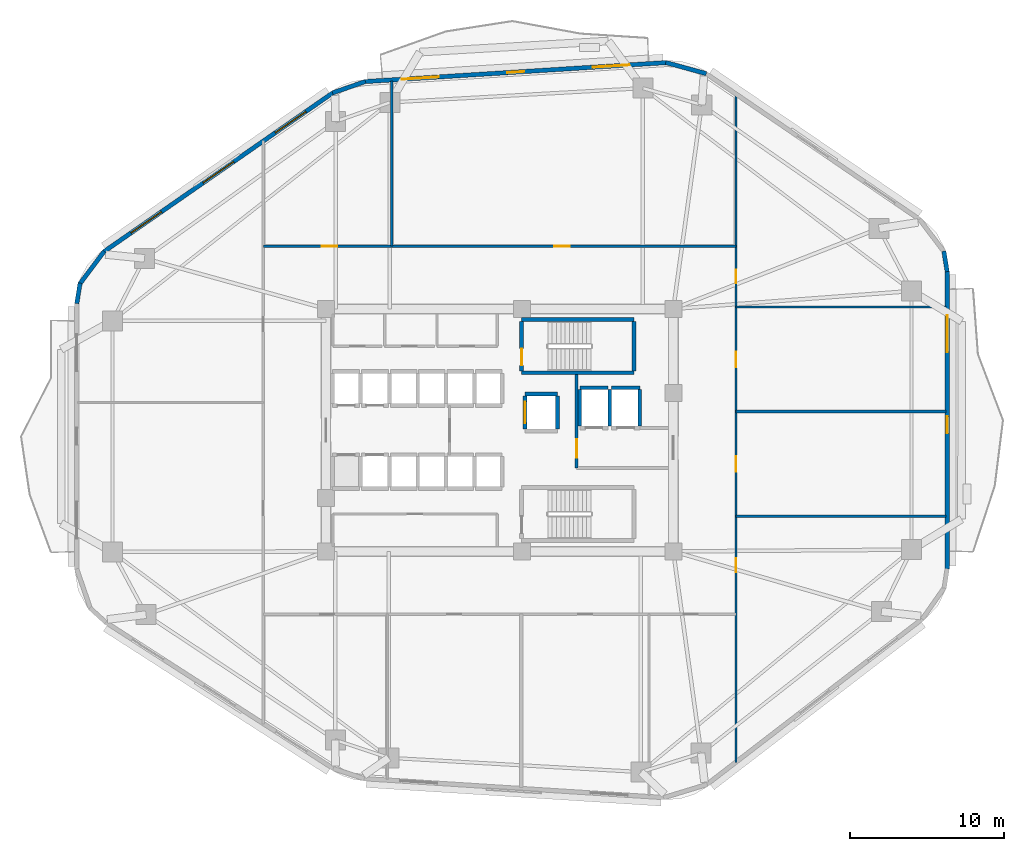
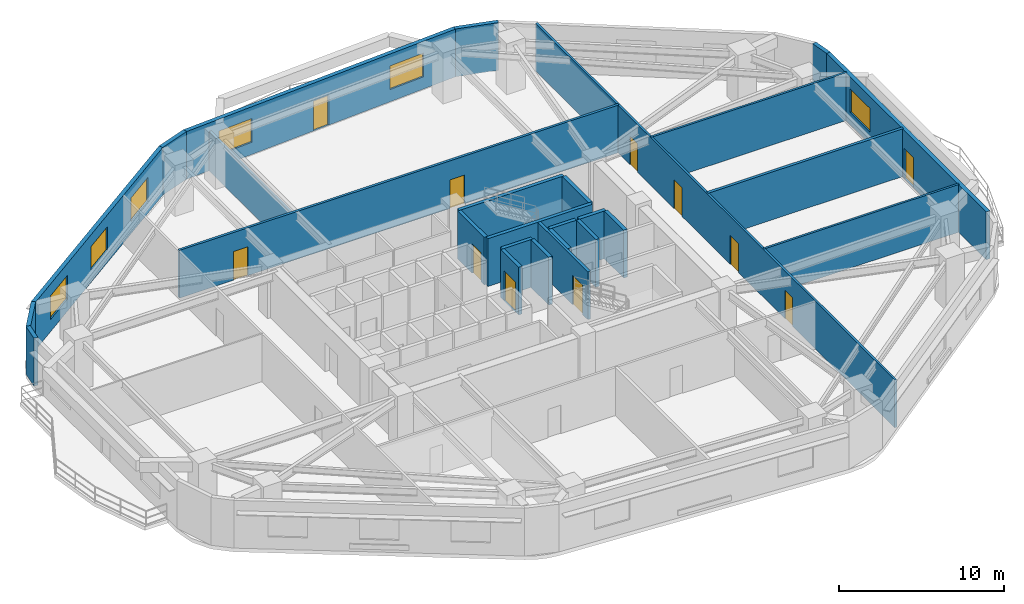
# One storey, part 5 of 10: 27 walls, 11 doors, 6 windows, 17 openings.
"""IFC4 building model written with IfcOpenShell, lengths in metres."""

from ifc_helpers import new_model, si_unit, direction, frame, frame_2d, origin, place, context, subcontext, project, spatial, rectangle, extrude, material, layer, layer_set, type_object, element, fill, save


model = new_model("IFC4")

# Units and contexts
model_context = context("Model", 3, precision=1e-05, world=origin(), true_north=direction((0.0, 1.0)))
body_context = subcontext(model_context, "Body", "Model", "MODEL_VIEW")
ifc_project = project(units=[si_unit("LENGTHUNIT", "METRE"), si_unit("AREAUNIT", "SQUARE_METRE"), si_unit("VOLUMEUNIT", "CUBIC_METRE"), si_unit("PLANEANGLEUNIT", "RADIAN"), si_unit("MASSUNIT", "GRAM", prefix="KILO")], contexts=[model_context])

# Site, building, storey
site_placement = place(None, origin())
site = spatial("IfcSite", under=ifc_project, at=site_placement, CompositionType="ELEMENT")
building_placement = place(site_placement, origin())
building = spatial("IfcBuilding", under=site, at=building_placement, Name="Zulverin Broadcast Headquarters", CompositionType="ELEMENT")
storey_placement = place(building_placement, frame((0.0, 0.0, 66.800048828125)))
storey = spatial("IfcBuildingStorey", under=building, at=storey_placement, Name="L16", CompositionType="ELEMENT", Elevation=66.800048828125)

# Wall
ifc_material_1 = material(Name="Acoustic drywall steel stud", Category="steel")
ifc_layer_1 = layer(ifc_material_1, 0.199951171875, Name="Acoustic drywall steel stud", Category="steel")
ifc_layer_set_1 = layer_set([ifc_layer_1], Name="Acoustic drywall steel stud")
wall_type_1 = type_object("IfcWallType", Name="WL-ACOU-200", PredefinedType="PARTITIONING", material=ifc_layer_set_1)
wall_1_placement = place(storey_placement, frame((52.35009765625, 26.39990234375, 0.0), z_axis=(0.0, 0.0, 1.0), x_axis=(1.0, 0.0, 0.0)))
element("IfcWall", 1, at=wall_1_placement, inside=storey, type_object=wall_type_1, Name="L16 Room Partition Wall RP-09", PredefinedType="PARTITIONING", context=body_context, shape_type="SweptSolid", body=[
    extrude(rectangle(XDim=13.64501953125, YDim=0.199951171875, at=frame_2d((6.822509765625, 0.0))), origin(), (0.0, 0.0, 1.0), 3.52490234375),
])

# Wall, openings, door, window
ifc_material_2 = material(Name="Insulated pale-metal clad concrete spandrel C40/50", Category="concrete")
ifc_layer_2 = layer(ifc_material_2, 0.280029296875, Name="Insulated pale-metal clad concrete spandrel C40/50", Category="concrete")
ifc_layer_set_2 = layer_set([ifc_layer_2], Name="Insulated pale-metal clad concrete spandrel C40/50")
wall_type_2 = type_object("IfcWallType", Name="WL-EXT-280", PredefinedType="STANDARD", material=ifc_layer_set_2)
wall_2_placement = place(storey_placement, frame((66.06005859375, 16.183349609375, 0.0), z_axis=(0.0, 0.0, 1.0), x_axis=(0.0, 1.0, 0.0)))
wall_2 = element("IfcWall", 2, at=wall_2_placement, inside=storey, type_object=wall_type_2, Name="L16 Pale-Metal Clad Spandrel Wall 3", PredefinedType="STANDARD", context=body_context, shape_type="SweptSolid", body=[
    extrude(rectangle(XDim=19.3310546875, YDim=0.280029296875, at=frame_2d((9.66552734375, 0.0))), origin(), (0.0, 0.0, 1.0), 3.52490234375),
])
opening_1_placement = place(wall_2_placement, frame((8.8154296875, 0.0, 0.0)))
opening_1 = element("IfcOpeningElement", 3, at=opening_1_placement, cuts=wall_2, Name="Opening D-L16-TR3", PredefinedType="OPENING", context=body_context, shape_type="SweptSolid", body=[
    extrude(rectangle(XDim=1.10009765625, YDim=2.199951171875, at=frame_2d((0.550048828125, 1.10009765625))), frame((0.0, 0.14990234375, 0.0), z_axis=(0.0, -1.0, 0.0), x_axis=(1.0, 0.0, 0.0)), (0.0, 0.0, 1.0), 0.300048828125),
])
opening_2_placement = place(wall_2_placement, frame((14.075927734375, 0.0, 0.89990234375)))
opening_2 = element("IfcOpeningElement", 4, at=opening_2_placement, cuts=wall_2, Name="Opening W-L16-E31", PredefinedType="OPENING", context=body_context, shape_type="SweptSolid", body=[
    extrude(rectangle(XDim=2.39990234375, YDim=1.75, at=frame_2d((1.199951171875, 0.875))), frame((0.0, 0.14990234375, 0.0), z_axis=(0.0, -1.0, 0.0), x_axis=(1.0, 0.0, 0.0)), (0.0, 0.0, 1.0), 0.300048828125),
])
ifc_material_3 = material(Name="Thermally broken aluminium glazed", Category="aluminium")
door_type_1 = type_object("IfcDoorType", Name="DR-TERR-1100", OperationType="SINGLE_SWING_RIGHT", PredefinedType="DOOR", material=ifc_material_3)
door_1_placement = place(opening_1_placement, origin())
door_1 = element("IfcDoor", 5, at=door_1_placement, inside=storey, type_object=door_type_1, Name="L16 Planted Terrace Glazed Access Door 3", OperationType="SINGLE_SWING_RIGHT", OverallHeight=2.199951171875, OverallWidth=1.10009765625, PredefinedType="DOOR", context=body_context, shape_type="SweptSolid", body=[
    extrude(rectangle(XDim=1.10009765625, YDim=2.199951171875, at=frame_2d((0.550048828125, 1.10009765625))), frame((0.0, 0.02490234375, 0.0), z_axis=(0.0, -1.0, 0.0), x_axis=(1.0, 0.0, 0.0)), (0.0, 0.0, 1.0), 0.050048828125),
])
fill(opening_1, door_1)
ifc_material_4 = material(Name="Pale anodized aluminium frame with solar-control low-E double glazing", Category="aluminium")
window_type = type_object("IfcWindowType", Name="WIN-RIB-2400", PartitioningType="SINGLE_PANEL", PredefinedType="WINDOW", material=ifc_material_4)
window_1_placement = place(opening_2_placement, origin())
window_1 = element("IfcWindow", 6, at=window_1_placement, inside=storey, type_object=window_type, Name="L16 Ribbon Glazing Window 3 1", OverallHeight=1.75, OverallWidth=2.39990234375, PartitioningType="SINGLE_PANEL", PredefinedType="WINDOW", context=body_context, shape_type="SweptSolid", body=[
    extrude(rectangle(XDim=2.39990234375, YDim=1.75, at=frame_2d((1.199951171875, 0.875))), frame((0.0, 0.030029296875, 0.0), z_axis=(0.0, -1.0, 0.0), x_axis=(1.0, 0.0, 0.0)), (0.0, 0.0, 1.0), 0.06005859375),
])
fill(opening_2, window_1)

# Wall, openings, door, windows
wall_3_placement = place(storey_placement, frame((47.831787109375, 49.0693359375, 0.0), z_axis=(0.0, 0.0, 1.0), x_axis=(-0.998017725054, -0.062933460723, 0.0)))
wall_3 = element("IfcWall", 7, at=wall_3_placement, inside=storey, type_object=wall_type_2, Name="L16 Pale-Metal Clad Spandrel Wall 5", PredefinedType="STANDARD", context=body_context, shape_type="SweptSolid", body=[
    extrude(rectangle(XDim=19.62939453125, YDim=0.280029296875, at=frame_2d((9.814697265625, 0.0))), origin(), (0.0, 0.0, 1.0), 3.52490234375),
])
opening_3_placement = place(wall_3_placement, frame((9.264892578125, 0.0, 0.0)))
opening_3 = element("IfcOpeningElement", 8, at=opening_3_placement, cuts=wall_3, Name="Opening D-L16-TR5", PredefinedType="OPENING", context=body_context, shape_type="SweptSolid", body=[
    extrude(rectangle(XDim=1.10009765625, YDim=2.199951171875, at=frame_2d((0.550048828125, 1.10009765625))), frame((0.0, 0.14990234375, 0.0), z_axis=(0.0, -1.0, 0.0), x_axis=(1.0, 0.0, 0.0)), (0.0, 0.0, 1.0), 0.300048828125),
])
opening_4_placement = place(wall_3_placement, frame((2.40478515625, 0.0, 0.89990234375)))
opening_4 = element("IfcOpeningElement", 9, at=opening_4_placement, cuts=wall_3, Name="Opening W-L16-E51", PredefinedType="OPENING", context=body_context, shape_type="SweptSolid", body=[
    extrude(rectangle(XDim=2.39990234375, YDim=1.75, at=frame_2d((1.199951171875, 0.875))), frame((0.0, 0.14990234375, 0.0), z_axis=(0.0, -1.0, 0.0), x_axis=(1.0, 0.0, 0.0)), (0.0, 0.0, 1.0), 0.300048828125),
])
opening_5_placement = place(wall_3_placement, frame((14.82470703125, 0.0, 0.89990234375)))
opening_5 = element("IfcOpeningElement", 10, at=opening_5_placement, cuts=wall_3, Name="Opening W-L16-E52", PredefinedType="OPENING", context=body_context, shape_type="SweptSolid", body=[
    extrude(rectangle(XDim=2.39990234375, YDim=1.75, at=frame_2d((1.199951171875, 0.875))), frame((0.0, 0.14990234375, 0.0), z_axis=(0.0, -1.0, 0.0), x_axis=(1.0, 0.0, 0.0)), (0.0, 0.0, 1.0), 0.300048828125),
])
door_2_placement = place(opening_3_placement, origin())
door_2 = element("IfcDoor", 11, at=door_2_placement, inside=storey, type_object=door_type_1, Name="L16 Planted Terrace Glazed Access Door 5", OperationType="SINGLE_SWING_RIGHT", OverallHeight=2.199951171875, OverallWidth=1.10009765625, PredefinedType="DOOR", context=body_context, shape_type="SweptSolid", body=[
    extrude(rectangle(XDim=1.10009765625, YDim=2.199951171875, at=frame_2d((0.550048828125, 1.10009765625))), frame((0.0, 0.02490234375, 0.0), z_axis=(0.0, -1.0, 0.0), x_axis=(1.0, 0.0, 0.0)), (0.0, 0.0, 1.0), 0.050048828125),
])
fill(opening_3, door_2)
window_2_placement = place(opening_4_placement, origin())
window_2 = element("IfcWindow", 12, at=window_2_placement, inside=storey, type_object=window_type, Name="L16 Ribbon Glazing Window 5 1", OverallHeight=1.75, OverallWidth=2.39990234375, PartitioningType="SINGLE_PANEL", PredefinedType="WINDOW", context=body_context, shape_type="SweptSolid", body=[
    extrude(rectangle(XDim=2.39990234375, YDim=1.75, at=frame_2d((1.199951171875, 0.875))), frame((0.0, 0.030029296875, 0.0), z_axis=(0.0, -1.0, 0.0), x_axis=(1.0, 0.0, 0.0)), (0.0, 0.0, 1.0), 0.06005859375),
])
fill(opening_4, window_2)
window_3_placement = place(opening_5_placement, origin())
window_3 = element("IfcWindow", 13, at=window_3_placement, inside=storey, type_object=window_type, Name="L16 Ribbon Glazing Window 5 2", OverallHeight=1.75, OverallWidth=2.39990234375, PartitioningType="SINGLE_PANEL", PredefinedType="WINDOW", context=body_context, shape_type="SweptSolid", body=[
    extrude(rectangle(XDim=2.39990234375, YDim=1.75, at=frame_2d((1.199951171875, 0.875))), frame((0.0, 0.030029296875, 0.0), z_axis=(0.0, -1.0, 0.0), x_axis=(1.0, 0.0, 0.0)), (0.0, 0.0, 1.0), 0.06005859375),
])
fill(opening_5, window_3)

# Wall, openings, windows
wall_4_placement = place(storey_placement, frame((26.181884765625, 47.11767578125, 0.0), z_axis=(0.0, 0.0, 1.0), x_axis=(-0.821547956627, -0.570139417127, 0.0)))
wall_4 = element("IfcWall", 14, at=wall_4_placement, inside=storey, type_object=wall_type_2, Name="L16 Pale-Metal Clad Spandrel Wall 6", PredefinedType="STANDARD", context=body_context, shape_type="SweptSolid", body=[
    extrude(rectangle(XDim=18.13232421875, YDim=0.280029296875, at=frame_2d((9.066162109375, 0.0))), origin(), (0.0, 0.0, 1.0), 3.52490234375),
])
opening_6_placement = place(wall_4_placement, frame((2.155517578125, 0.0, 0.89990234375)))
opening_6 = element("IfcOpeningElement", 15, at=opening_6_placement, cuts=wall_4, Name="Opening W-L16-E61", PredefinedType="OPENING", context=body_context, shape_type="SweptSolid", body=[
    extrude(rectangle(XDim=2.39990234375, YDim=1.75, at=frame_2d((1.199951171875, 0.875))), frame((0.0, 0.14990234375, 0.0), z_axis=(0.0, -1.0, 0.0), x_axis=(1.0, 0.0, 0.0)), (0.0, 0.0, 1.0), 0.300048828125),
])
opening_7_placement = place(wall_4_placement, frame((7.8662109375, 0.0, 0.89990234375)))
opening_7 = element("IfcOpeningElement", 16, at=opening_7_placement, cuts=wall_4, Name="Opening W-L16-E62", PredefinedType="OPENING", context=body_context, shape_type="SweptSolid", body=[
    extrude(rectangle(XDim=2.39990234375, YDim=1.75, at=frame_2d((1.199951171875, 0.875))), frame((0.0, 0.14990234375, 0.0), z_axis=(0.0, -1.0, 0.0), x_axis=(1.0, 0.0, 0.0)), (0.0, 0.0, 1.0), 0.300048828125),
])
opening_8_placement = place(wall_4_placement, frame((13.576904296875, 0.0, 0.89990234375)))
opening_8 = element("IfcOpeningElement", 17, at=opening_8_placement, cuts=wall_4, Name="Opening W-L16-E63", PredefinedType="OPENING", context=body_context, shape_type="SweptSolid", body=[
    extrude(rectangle(XDim=2.39990234375, YDim=1.75, at=frame_2d((1.199951171875, 0.875))), frame((0.0, 0.14990234375, 0.0), z_axis=(0.0, -1.0, 0.0), x_axis=(1.0, 0.0, 0.0)), (0.0, 0.0, 1.0), 0.300048828125),
])
window_4_placement = place(opening_6_placement, origin())
window_4 = element("IfcWindow", 18, at=window_4_placement, inside=storey, type_object=window_type, Name="L16 Ribbon Glazing Window 6 1", OverallHeight=1.75, OverallWidth=2.39990234375, PartitioningType="SINGLE_PANEL", PredefinedType="WINDOW", context=body_context, shape_type="SweptSolid", body=[
    extrude(rectangle(XDim=2.39990234375, YDim=1.75, at=frame_2d((1.199951171875, 0.875))), frame((0.0, 0.030029296875, 0.0), z_axis=(0.0, -1.0, 0.0), x_axis=(1.0, 0.0, 0.0)), (0.0, 0.0, 1.0), 0.06005859375),
])
fill(opening_6, window_4)
window_5_placement = place(opening_7_placement, origin())
window_5 = element("IfcWindow", 19, at=window_5_placement, inside=storey, type_object=window_type, Name="L16 Ribbon Glazing Window 6 2", OverallHeight=1.75, OverallWidth=2.39990234375, PartitioningType="SINGLE_PANEL", PredefinedType="WINDOW", context=body_context, shape_type="SweptSolid", body=[
    extrude(rectangle(XDim=2.39990234375, YDim=1.75, at=frame_2d((1.199951171875, 0.875))), frame((0.0, 0.030029296875, 0.0), z_axis=(0.0, -1.0, 0.0), x_axis=(1.0, 0.0, 0.0)), (0.0, 0.0, 1.0), 0.06005859375),
])
fill(opening_7, window_5)
window_6_placement = place(opening_8_placement, origin())
window_6 = element("IfcWindow", 20, at=window_6_placement, inside=storey, type_object=window_type, Name="L16 Ribbon Glazing Window 6 3", OverallHeight=1.75, OverallWidth=2.39990234375, PartitioningType="SINGLE_PANEL", PredefinedType="WINDOW", context=body_context, shape_type="SweptSolid", body=[
    extrude(rectangle(XDim=2.39990234375, YDim=1.75, at=frame_2d((1.199951171875, 0.875))), frame((0.0, 0.030029296875, 0.0), z_axis=(0.0, -1.0, 0.0), x_axis=(1.0, 0.0, 0.0)), (0.0, 0.0, 1.0), 0.06005859375),
])
fill(opening_8, window_6)

# Walls
wall_5_placement = place(storey_placement, frame((66.061767578125, 35.491943359375, 0.0), z_axis=(0.0, 0.0, 1.0), x_axis=(-0.161182073582, 0.986924687682, 0.0)))
element("IfcWall", 21, at=wall_5_placement, inside=storey, type_object=wall_type_2, Name="L16 Wind-Shaped Corner Spandrel Wall 3-1", PredefinedType="STANDARD", context=body_context, shape_type="SweptSolid", body=[
    extrude(rectangle(XDim=1.354248046875, YDim=0.280029296875, at=frame_2d((0.67724609375, 0.0))), origin(), (0.0, 0.0, 1.0), 3.52490234375),
])
wall_6_placement = place(storey_placement, frame((50.419189453125, 48.3505859375, 0.0), z_axis=(0.0, 0.0, 1.0), x_axis=(-0.964254516967, 0.264977784933, 0.0)))
element("IfcWall", 22, at=wall_6_placement, inside=storey, type_object=wall_type_2, Name="L16 Wind-Shaped Corner Spandrel Wall 4-1", PredefinedType="STANDARD", context=body_context, shape_type="SweptSolid", body=[
    extrude(rectangle(XDim=2.73095703125, YDim=0.280029296875, at=frame_2d((1.365478515625, 0.0))), origin(), (0.0, 0.0, 1.0), 3.52490234375),
])
wall_7_placement = place(storey_placement, frame((28.2783203125, 47.841552734375, 0.0), z_axis=(0.0, 0.0, 1.0), x_axis=(-0.9444559001, -0.328638179106, 0.0)))
element("IfcWall", 23, at=wall_7_placement, inside=storey, type_object=wall_type_2, Name="L16 Wind-Shaped Corner Spandrel Wall 5-1", PredefinedType="STANDARD", context=body_context, shape_type="SweptSolid", body=[
    extrude(rectangle(XDim=2.25537109375, YDim=0.280029296875, at=frame_2d((1.127685546875, 0.0))), origin(), (0.0, 0.0, 1.0), 3.52490234375),
])
wall_8_placement = place(storey_placement, frame((11.317626953125, 36.81103515625, 0.0), z_axis=(0.0, 0.0, 1.0), x_axis=(-0.599455152629, -0.800408345775, 0.0)))
element("IfcWall", 24, at=wall_8_placement, inside=storey, type_object=wall_type_2, Name="L16 Wind-Shaped Corner Spandrel Wall 6-1", PredefinedType="STANDARD", context=body_context, shape_type="SweptSolid", body=[
    extrude(rectangle(XDim=2.6533203125, YDim=0.280029296875, at=frame_2d((1.32666015625, 0.0))), origin(), (0.0, 0.0, 1.0), 3.52490234375),
])
wall_9_placement = place(storey_placement, frame((9.753173828125, 34.748779296875, 0.0), z_axis=(0.0, 0.0, 1.0), x_axis=(-0.160037671962, -0.987110907423, 0.0)))
element("IfcWall", 25, at=wall_9_placement, inside=storey, type_object=wall_type_2, Name="L16 Wind-Shaped Corner Spandrel Wall 6-2", PredefinedType="STANDARD", context=body_context, shape_type="SweptSolid", body=[
    extrude(rectangle(XDim=1.343994140625, YDim=0.280029296875, at=frame_2d((0.671875, 0.0))), origin(), (0.0, 0.0, 1.0), 3.52490234375),
])

# Wall, opening, door
ifc_material_5 = material(Name="Concrete C40/50", Category="concrete")
ifc_layer_3 = layer(ifc_material_5, 0.199951171875, Name="Concrete C40/50", Category="concrete")
ifc_layer_set_3 = layer_set([ifc_layer_3], Name="Concrete C40/50")
wall_type_3 = type_object("IfcWallType", Name="WL-FFL-200", PredefinedType="SOLIDWALL", material=ifc_layer_set_3)
wall_10_placement = place(storey_placement, frame((42.0, 22.75, 0.0), z_axis=(0.0, 0.0, 1.0), x_axis=(0.0, 1.0, 0.0)))
wall_10 = element("IfcWall", 26, at=wall_10_placement, inside=storey, type_object=wall_type_3, Name="L16 Firefighting Lift Lobby West Wall", PredefinedType="SOLIDWALL", context=body_context, shape_type="SweptSolid", body=[
    extrude(rectangle(XDim=6.050048828125, YDim=0.199951171875, at=frame_2d((3.02490234375, 0.0))), origin(), (0.0, 0.0, 1.0), 3.52490234375),
])
opening_9_placement = place(wall_10_placement, frame((0.64990234375, 0.0, 0.0)))
opening_9 = element("IfcOpeningElement", 27, at=opening_9_placement, cuts=wall_10, Name="Opening D-L16-FFLW", PredefinedType="OPENING", context=body_context, shape_type="SweptSolid", body=[
    extrude(rectangle(XDim=1.199951171875, YDim=2.14990234375, at=frame_2d((0.60009765625, 1.074951171875))), frame((0.0, 0.10986328125, 0.0), z_axis=(0.0, -1.0, 0.0), x_axis=(1.0, 0.0, 0.0)), (0.0, 0.0, 1.0), 0.219970703125),
])
ifc_material_6 = material(Name="Fire-rated steel leaf and frame", Category="steel")
door_type_2 = type_object("IfcDoorType", Name="DR-FFL-1200", OperationType="SINGLE_SWING_RIGHT", PredefinedType="DOOR", material=ifc_material_6)
door_3_placement = place(opening_9_placement, origin())
door_3 = element("IfcDoor", 28, at=door_3_placement, inside=storey, type_object=door_type_2, Name="L16 Firefighting Lift Lobby Door", OperationType="SINGLE_SWING_RIGHT", OverallHeight=2.14990234375, OverallWidth=1.199951171875, PredefinedType="DOOR", context=body_context, shape_type="SweptSolid", body=[
    extrude(rectangle(XDim=1.199951171875, YDim=2.14990234375, at=frame_2d((0.60009765625, 1.074951171875))), frame((0.0, 0.02490234375, 0.0), z_axis=(0.0, -1.0, 0.0), x_axis=(1.0, 0.0, 0.0)), (0.0, 0.0, 1.0), 0.050048828125),
])
fill(opening_9, door_3)

# Wall, openings, doors
ifc_material_7 = material(Name="Fire-rated gypsum stud partition", Category="gypsum")
ifc_layer_4 = layer(ifc_material_7, 0.14990234375, Name="Fire-rated gypsum stud partition", Category="gypsum")
ifc_layer_set_4 = layer_set([ifc_layer_4], Name="Fire-rated gypsum stud partition")
wall_type_4 = type_object("IfcWallType", Name="WL-PART-150", PredefinedType="PARTITIONING", material=ifc_layer_set_4)
wall_11_placement = place(storey_placement, frame((52.35009765625, 3.611328125, 0.0), z_axis=(0.0, 0.0, 1.0), x_axis=(0.0, 1.0, 0.0)))
wall_11 = element("IfcWall", 29, at=wall_11_placement, inside=storey, type_object=wall_type_4, Name="L16 Gallery Partition Wall CG-01", PredefinedType="PARTITIONING", context=body_context, shape_type="SweptSolid", body=[
    extrude(rectangle(XDim=43.440673828125, YDim=0.14990234375, at=frame_2d((21.72021484375, 0.0))), origin(), (0.0, 0.0, 1.0), 3.52490234375),
])
opening_10_placement = place(wall_11_placement, frame((12.36376953125, 0.0, 0.0)))
opening_10 = element("IfcOpeningElement", 30, at=opening_10_placement, cuts=wall_11, Name="Opening D-L16-09", PredefinedType="OPENING", context=body_context, shape_type="SweptSolid", body=[
    extrude(rectangle(XDim=0.89990234375, YDim=2.10009765625, at=frame_2d((0.449951171875, 1.050048828125))), frame((0.0, 0.0849609375, 0.0), z_axis=(0.0, -1.0, 0.0), x_axis=(1.0, 0.0, 0.0)), (0.0, 0.0, 1.0), 0.169921875),
])
opening_11_placement = place(wall_11_placement, frame((18.888671875, 0.0, 0.0)))
opening_11 = element("IfcOpeningElement", 31, at=opening_11_placement, cuts=wall_11, Name="Opening D-L16-10", PredefinedType="OPENING", context=body_context, shape_type="SweptSolid", body=[
    extrude(rectangle(XDim=1.0, YDim=2.1201171875, at=frame_2d((0.5, 1.06005859375))), frame((0.0, 0.0849609375, 0.0), z_axis=(0.0, -1.0, 0.0), x_axis=(1.0, 0.0, 0.0)), (0.0, 0.0, 1.0), 0.169921875),
])
opening_12_placement = place(wall_11_placement, frame((25.688720703125, 0.0, 0.0)))
opening_12 = element("IfcOpeningElement", 32, at=opening_12_placement, cuts=wall_11, Name="Opening D-L16-11", PredefinedType="OPENING", context=body_context, shape_type="SweptSolid", body=[
    extrude(rectangle(XDim=1.0, YDim=2.1201171875, at=frame_2d((0.5, 1.06005859375))), frame((0.0, 0.0849609375, 0.0), z_axis=(0.0, -1.0, 0.0), x_axis=(1.0, 0.0, 0.0)), (0.0, 0.0, 1.0), 0.169921875),
])
opening_13_placement = place(wall_11_placement, frame((31.11376953125, 0.0, 0.0)))
opening_13 = element("IfcOpeningElement", 33, at=opening_13_placement, cuts=wall_11, Name="Opening D-L16-12", PredefinedType="OPENING", context=body_context, shape_type="SweptSolid", body=[
    extrude(rectangle(XDim=0.89990234375, YDim=2.10009765625, at=frame_2d((0.449951171875, 1.050048828125))), frame((0.0, 0.0849609375, 0.0), z_axis=(0.0, -1.0, 0.0), x_axis=(1.0, 0.0, 0.0)), (0.0, 0.0, 1.0), 0.169921875),
])
ifc_material_8 = material(Name="Hardwood veneer acoustic leaf", Category="wood")
door_type_3 = type_object("IfcDoorType", Name="DR-OFF-1000", OperationType="SINGLE_SWING_LEFT", PredefinedType="DOOR", material=ifc_material_8)
door_4_placement = place(opening_11_placement, origin())
door_4 = element("IfcDoor", 34, at=door_4_placement, inside=storey, type_object=door_type_3, Name="L16 Documentary Editing Workplace Door", OperationType="SINGLE_SWING_LEFT", OverallHeight=2.1201171875, OverallWidth=1.0, PredefinedType="DOOR", context=body_context, shape_type="SweptSolid", body=[
    extrude(rectangle(XDim=1.0, YDim=2.1201171875, at=frame_2d((0.5, 1.06005859375))), frame((0.0, 0.02490234375, 0.0), z_axis=(0.0, -1.0, 0.0), x_axis=(1.0, 0.0, 0.0)), (0.0, 0.0, 1.0), 0.050048828125),
])
fill(opening_11, door_4)
door_5_placement = place(opening_12_placement, origin())
door_5 = element("IfcDoor", 35, at=door_5_placement, inside=storey, type_object=door_type_3, Name="L16 Colour Correction Office Door", OperationType="SINGLE_SWING_RIGHT", OverallHeight=2.1201171875, OverallWidth=1.0, PredefinedType="DOOR", context=body_context, shape_type="SweptSolid", body=[
    extrude(rectangle(XDim=1.0, YDim=2.1201171875, at=frame_2d((0.5, 1.06005859375))), frame((0.0, 0.02490234375, 0.0), z_axis=(0.0, -1.0, 0.0), x_axis=(1.0, 0.0, 0.0)), (0.0, 0.0, 1.0), 0.050048828125),
])
fill(opening_12, door_5)
ifc_material_9 = material(Name="Fire-rated hardwood veneer timber leaf", Category="wood")
door_type_4 = type_object("IfcDoorType", Name="DR-ROOM-900", OperationType="SINGLE_SWING_RIGHT", PredefinedType="DOOR", material=ifc_material_9)
door_6_placement = place(opening_10_placement, origin())
door_6 = element("IfcDoor", 36, at=door_6_placement, inside=storey, type_object=door_type_4, Name="L16 Client Reception Door", OperationType="SINGLE_SWING_RIGHT", OverallHeight=2.10009765625, OverallWidth=0.89990234375, PredefinedType="DOOR", context=body_context, shape_type="SweptSolid", body=[
    extrude(rectangle(XDim=0.89990234375, YDim=2.10009765625, at=frame_2d((0.449951171875, 1.050048828125))), frame((0.0, 0.02490234375, 0.0), z_axis=(0.0, -1.0, 0.0), x_axis=(1.0, 0.0, 0.0)), (0.0, 0.0, 1.0), 0.050048828125),
])
fill(opening_10, door_6)
door_7_placement = place(opening_13_placement, origin())
door_7 = element("IfcDoor", 37, at=door_7_placement, inside=storey, type_object=door_type_4, Name="L16 Colour Review Suite Door", OperationType="SINGLE_SWING_LEFT", OverallHeight=2.10009765625, OverallWidth=0.89990234375, PredefinedType="DOOR", context=body_context, shape_type="SweptSolid", body=[
    extrude(rectangle(XDim=0.89990234375, YDim=2.10009765625, at=frame_2d((0.449951171875, 1.050048828125))), frame((0.0, 0.02490234375, 0.0), z_axis=(0.0, -1.0, 0.0), x_axis=(1.0, 0.0, 0.0)), (0.0, 0.0, 1.0), 0.050048828125),
])
fill(opening_13, door_7)

# Walls
wall_12_placement = place(storey_placement, frame((30.0, 37.14990234375, 0.0), z_axis=(0.0, 0.0, 1.0), x_axis=(0.0, 1.0, 0.0)))
element("IfcWall", 38, at=wall_12_placement, inside=storey, type_object=wall_type_4, Name="L16 Room Partition Wall RP-04", PredefinedType="PARTITIONING", context=body_context, shape_type="SweptSolid", body=[
    extrude(rectangle(XDim=10.730224609375, YDim=0.14990234375, at=frame_2d((5.365234375, 0.0))), origin(), (0.0, 0.0, 1.0), 2.90771484375),
])
for number, where, z_axis, x_axis, name in (
    (39, (52.35009765625, 19.60009765625, 0.0), (0.0, 0.0, 1.0), (1.0, 0.0, 0.0), "L16 Room Partition Wall RP-08"),
    (40, (52.35009765625, 33.199951171875, 0.0), (0.0, 0.0, 1.0), (1.0, 0.0, 0.0), "L16 Room Partition Wall RP-11"),
):
    element("IfcWall", number, at=place(storey_placement, frame(where, z_axis=z_axis, x_axis=x_axis)), inside=storey, type_object=wall_type_4, Name=name, PredefinedType="PARTITIONING", context=body_context, shape_type="SweptSolid", body=[
        extrude(rectangle(XDim=13.64501953125, YDim=0.14990234375, at=frame_2d((6.822509765625, 0.0))), origin(), (0.0, 0.0, 1.0), 3.52490234375),
    ])

# Wall, openings, doors
ifc_material_10 = material(Name="Fire-rated acoustic stud wall", Category="gypsum")
ifc_layer_5 = layer(ifc_material_10, 0.175048828125, Name="Fire-rated acoustic stud wall", Category="gypsum")
ifc_layer_set_5 = layer_set([ifc_layer_5], Name="Fire-rated acoustic stud wall")
wall_type_5 = type_object("IfcWallType", Name="WL-PART-175", PredefinedType="PARTITIONING", material=ifc_layer_set_5)
wall_13_placement = place(storey_placement, frame((21.64990234375, 37.14990234375, 0.0), z_axis=(0.0, 0.0, 1.0), x_axis=(1.0, 0.0, 0.0)))
wall_13 = element("IfcWall", 41, at=wall_13_placement, inside=storey, type_object=wall_type_5, Name="L16 Gallery Partition Wall CG-12", PredefinedType="PARTITIONING", context=body_context, shape_type="SweptSolid", body=[
    extrude(rectangle(XDim=30.7001953125, YDim=0.175048828125, at=frame_2d((15.35009765625, 0.0))), origin(), (0.0, 0.0, 1.0), 3.52490234375),
])
opening_14_placement = place(wall_13_placement, frame((3.794921875, 0.0, 0.0)))
opening_14 = element("IfcOpeningElement", 42, at=opening_14_placement, cuts=wall_13, Name="Opening D-L16-01", PredefinedType="OPENING", context=body_context, shape_type="SweptSolid", body=[
    extrude(rectangle(XDim=1.0, YDim=2.1201171875, at=frame_2d((0.5, 1.06005859375))), frame((0.0, 0.097412109375, 0.0), z_axis=(0.0, -1.0, 0.0), x_axis=(1.0, 0.0, 0.0)), (0.0, 0.0, 1.0), 0.195068359375),
])
opening_15_placement = place(wall_13_placement, frame((18.905029296875, 0.0, 0.0)))
opening_15 = element("IfcOpeningElement", 43, at=opening_15_placement, cuts=wall_13, Name="Opening D-L16-02", PredefinedType="OPENING", context=body_context, shape_type="SweptSolid", body=[
    extrude(rectangle(XDim=1.0, YDim=2.1201171875, at=frame_2d((0.5, 1.06005859375))), frame((0.0, 0.097412109375, 0.0), z_axis=(0.0, -1.0, 0.0), x_axis=(1.0, 0.0, 0.0)), (0.0, 0.0, 1.0), 0.195068359375),
])
door_8_placement = place(opening_14_placement, origin())
door_8 = element("IfcDoor", 44, at=door_8_placement, inside=storey, type_object=door_type_3, Name="L16 Documentary Editing Workplace Door", OperationType="SINGLE_SWING_RIGHT", OverallHeight=2.1201171875, OverallWidth=1.0, PredefinedType="DOOR", context=body_context, shape_type="SweptSolid", body=[
    extrude(rectangle(XDim=1.0, YDim=2.1201171875, at=frame_2d((0.5, 1.06005859375))), frame((0.0, 0.02490234375, 0.0), z_axis=(0.0, -1.0, 0.0), x_axis=(1.0, 0.0, 0.0)), (0.0, 0.0, 1.0), 0.050048828125),
])
fill(opening_14, door_8)
door_9_placement = place(opening_15_placement, origin())
door_9 = element("IfcDoor", 45, at=door_9_placement, inside=storey, type_object=door_type_3, Name="L16 Colour Correction Office Door", OperationType="SINGLE_SWING_LEFT", OverallHeight=2.1201171875, OverallWidth=1.0, PredefinedType="DOOR", context=body_context, shape_type="SweptSolid", body=[
    extrude(rectangle(XDim=1.0, YDim=2.1201171875, at=frame_2d((0.5, 1.06005859375))), frame((0.0, 0.02490234375, 0.0), z_axis=(0.0, -1.0, 0.0), x_axis=(1.0, 0.0, 0.0)), (0.0, 0.0, 1.0), 0.050048828125),
])
fill(opening_15, door_9)

# Walls
ifc_material_11 = material(Name="Concrete C50/60", Category="concrete")
ifc_layer_6 = layer(ifc_material_11, 0.25, Name="Concrete C50/60", Category="concrete")
ifc_layer_set_6 = layer_set([ifc_layer_6], Name="Concrete C50/60")
wall_type_6 = type_object("IfcWallType", Name="WL-SHAFT-250", PredefinedType="SHEAR", material=ifc_layer_set_6)
for number, where, z_axis, x_axis, name in (
    (46, (38.425048828125, 28.925048828125, 0.0), (0.0, 0.0, 1.0), (1.0, 0.0, 0.0), "L16 ST-1 Enclosure Wall S"),
    (47, (38.425048828125, 32.375, 0.0), (0.0, 0.0, 1.0), (1.0, 0.0, 0.0), "L16 ST-1 Enclosure Wall N"),
):
    element("IfcWall", number, at=place(storey_placement, frame(where, z_axis=z_axis, x_axis=x_axis)), inside=storey, type_object=wall_type_6, Name=name, PredefinedType="SHEAR", context=body_context, shape_type="SweptSolid", body=[
        extrude(rectangle(XDim=7.300048828125, YDim=0.25, at=frame_2d((3.64990234375, 0.0))), origin(), (0.0, 0.0, 1.0), 3.52490234375),
    ])

# Wall, opening, door
wall_14_placement = place(storey_placement, frame((38.425048828125, 29.050048828125, 0.0), z_axis=(0.0, 0.0, 1.0), x_axis=(0.0, 1.0, 0.0)))
wall_14 = element("IfcWall", 48, at=wall_14_placement, inside=storey, type_object=wall_type_6, Name="L16 ST-1 Enclosure Wall W", PredefinedType="SHEAR", context=body_context, shape_type="SweptSolid", body=[
    extrude(rectangle(XDim=3.199951171875, YDim=0.25, at=frame_2d((1.60009765625, 0.0))), origin(), (0.0, 0.0, 1.0), 3.52490234375),
])
opening_16_placement = place(wall_14_placement, frame((0.35009765625, 0.0, 0.0)))
opening_16 = element("IfcOpeningElement", 49, at=opening_16_placement, cuts=wall_14, Name="Opening D-L16-ST-1", PredefinedType="OPENING", context=body_context, shape_type="SweptSolid", body=[
    extrude(rectangle(XDim=1.10009765625, YDim=2.14990234375, at=frame_2d((0.550048828125, 1.074951171875))), frame((0.0, 0.135009765625, 0.0), z_axis=(0.0, -1.0, 0.0), x_axis=(1.0, 0.0, 0.0)), (0.0, 0.0, 1.0), 0.27001953125),
])
door_type_5 = type_object("IfcDoorType", Name="DR-STAIR-1100", OperationType="SINGLE_SWING_LEFT", PredefinedType="DOOR", material=ifc_material_6)
door_10_placement = place(opening_16_placement, origin())
door_10 = element("IfcDoor", 50, at=door_10_placement, inside=storey, type_object=door_type_5, Name="L16 Exit Stair ST-1 Fire Door", OperationType="SINGLE_SWING_LEFT", OverallHeight=2.14990234375, OverallWidth=1.10009765625, PredefinedType="DOOR", context=body_context, shape_type="SweptSolid", body=[
    extrude(rectangle(XDim=1.10009765625, YDim=2.14990234375, at=frame_2d((0.550048828125, 1.074951171875))), frame((0.0, 0.02490234375, 0.0), z_axis=(0.0, -1.0, 0.0), x_axis=(1.0, 0.0, 0.0)), (0.0, 0.0, 1.0), 0.050048828125),
])
fill(opening_16, door_10)

# Walls
wall_15_placement = place(storey_placement, frame((45.72509765625, 29.050048828125, 0.0), z_axis=(0.0, 0.0, 1.0), x_axis=(0.0, 1.0, 0.0)))
element("IfcWall", 51, at=wall_15_placement, inside=storey, type_object=wall_type_6, Name="L16 ST-1 Enclosure Wall E", PredefinedType="SHEAR", context=body_context, shape_type="SweptSolid", body=[
    extrude(rectangle(XDim=3.199951171875, YDim=0.25, at=frame_2d((1.60009765625, 0.0))), origin(), (0.0, 0.0, 1.0), 3.52490234375),
])
wall_16_placement = place(storey_placement, frame((42.199951171875, 27.949951171875, 0.0), z_axis=(0.0, 0.0, 1.0), x_axis=(1.0, 0.0, 0.0)))
element("IfcWall", 52, at=wall_16_placement, inside=storey, type_object=wall_type_6, Name="L16 Lift FFL-1 Shaft Wall N", PredefinedType="SHEAR", context=body_context, shape_type="SweptSolid", body=[
    extrude(rectangle(XDim=1.85009765625, YDim=0.25, at=frame_2d((0.925048828125, 0.0))), origin(), (0.0, 0.0, 1.0), 3.52490234375),
])
for number, where, z_axis, x_axis, name in (
    (53, (42.199951171875, 25.469970703125, 0.0), (0.0, 0.0, 1.0), (0.0, 1.0, 0.0), "L16 Lift FFL-1 Shaft Wall W"),
    (54, (44.14990234375, 25.469970703125, 0.0), (0.0, 0.0, 1.0), (0.0, 1.0, 0.0), "L16 Lift FFL-1 Shaft Wall E"),
):
    element("IfcWall", number, at=place(storey_placement, frame(where, z_axis=z_axis, x_axis=x_axis)), inside=storey, type_object=wall_type_6, Name=name, PredefinedType="SHEAR", context=body_context, shape_type="SweptSolid", body=[
        extrude(rectangle(XDim=2.360107421875, YDim=0.25, at=frame_2d((1.18017578125, 0.0))), origin(), (0.0, 0.0, 1.0), 3.52490234375),
    ])
wall_17_placement = place(storey_placement, frame((44.25, 27.949951171875, 0.0), z_axis=(0.0, 0.0, 1.0), x_axis=(1.0, 0.0, 0.0)))
element("IfcWall", 55, at=wall_17_placement, inside=storey, type_object=wall_type_6, Name="L16 Lift FFL-2 Shaft Wall N", PredefinedType="SHEAR", context=body_context, shape_type="SweptSolid", body=[
    extrude(rectangle(XDim=1.85009765625, YDim=0.25, at=frame_2d((0.925048828125, 0.0))), origin(), (0.0, 0.0, 1.0), 3.52490234375),
])
wall_18_placement = place(storey_placement, frame((46.10009765625, 25.469970703125, 0.0), z_axis=(0.0, 0.0, 1.0), x_axis=(0.0, 1.0, 0.0)))
element("IfcWall", 56, at=wall_18_placement, inside=storey, type_object=wall_type_6, Name="L16 Lift FFL-2 Shaft Wall E", PredefinedType="SHEAR", context=body_context, shape_type="SweptSolid", body=[
    extrude(rectangle(XDim=2.360107421875, YDim=0.25, at=frame_2d((1.18017578125, 0.0))), origin(), (0.0, 0.0, 1.0), 3.52490234375),
])
wall_19_placement = place(storey_placement, frame((38.64990234375, 27.550048828125, 0.0), z_axis=(0.0, 0.0, 1.0), x_axis=(1.0, 0.0, 0.0)))
element("IfcWall", 57, at=wall_19_placement, inside=storey, type_object=wall_type_6, Name="L16 Lift SVL-1 Shaft Wall N", PredefinedType="SHEAR", context=body_context, shape_type="SweptSolid", body=[
    extrude(rectangle(XDim=2.10009765625, YDim=0.25, at=frame_2d((1.050048828125, 0.0))), origin(), (0.0, 0.0, 1.0), 3.52490234375),
])

# Wall, opening, door
wall_20_placement = place(storey_placement, frame((38.64990234375, 25.27001953125, 0.0), z_axis=(0.0, 0.0, 1.0), x_axis=(0.0, 1.0, 0.0)))
wall_20 = element("IfcWall", 58, at=wall_20_placement, inside=storey, type_object=wall_type_6, Name="L16 Lift SVL-1 Shaft Wall W", PredefinedType="SHEAR", context=body_context, shape_type="SweptSolid", body=[
    extrude(rectangle(XDim=2.159912109375, YDim=0.25, at=frame_2d((1.080078125, 0.0))), origin(), (0.0, 0.0, 1.0), 3.52490234375),
])
opening_17_placement = place(wall_20_placement, frame((0.3798828125, 0.0, 0.0)))
opening_17 = element("IfcOpeningElement", 59, at=opening_17_placement, cuts=wall_20, Name="Opening LD-SVL-1-L16", PredefinedType="OPENING", context=body_context, shape_type="SweptSolid", body=[
    extrude(rectangle(XDim=1.39990234375, YDim=2.199951171875, at=frame_2d((0.699951171875, 1.10009765625))), frame((0.0, 0.135009765625, 0.0), z_axis=(0.0, -1.0, 0.0), x_axis=(1.0, 0.0, 0.0)), (0.0, 0.0, 1.0), 0.27001953125),
])
ifc_material_12 = material(Name="Heavy-duty stainless landing door", Category="steel")
door_type_6 = type_object("IfcDoorType", Name="LD-GOODS-1400", OperationType="DOUBLE_DOOR_SLIDING", PredefinedType="DOOR", material=ifc_material_12)
door_11_placement = place(opening_17_placement, origin())
door_11 = element("IfcDoor", 60, at=door_11_placement, inside=storey, type_object=door_type_6, Name="L16 Lift SVL-1 Sliding Landing Door", OperationType="DOUBLE_DOOR_SLIDING", OverallHeight=2.199951171875, OverallWidth=1.39990234375, PredefinedType="DOOR", context=body_context, shape_type="SweptSolid", body=[
    extrude(rectangle(XDim=1.39990234375, YDim=2.199951171875, at=frame_2d((0.699951171875, 1.10009765625))), frame((0.0, 0.02490234375, 0.0), z_axis=(0.0, -1.0, 0.0), x_axis=(1.0, 0.0, 0.0)), (0.0, 0.0, 1.0), 0.050048828125),
])
fill(opening_17, door_11)

# Wall
wall_21_placement = place(storey_placement, frame((40.75, 25.27001953125, 0.0), z_axis=(0.0, 0.0, 1.0), x_axis=(0.0, 1.0, 0.0)))
element("IfcWall", 61, at=wall_21_placement, inside=storey, type_object=wall_type_6, Name="L16 Lift SVL-1 Shaft Wall E", PredefinedType="SHEAR", context=body_context, shape_type="SweptSolid", body=[
    extrude(rectangle(XDim=2.159912109375, YDim=0.25, at=frame_2d((1.080078125, 0.0))), origin(), (0.0, 0.0, 1.0), 3.52490234375),
])

save(model, "model.ifc")
